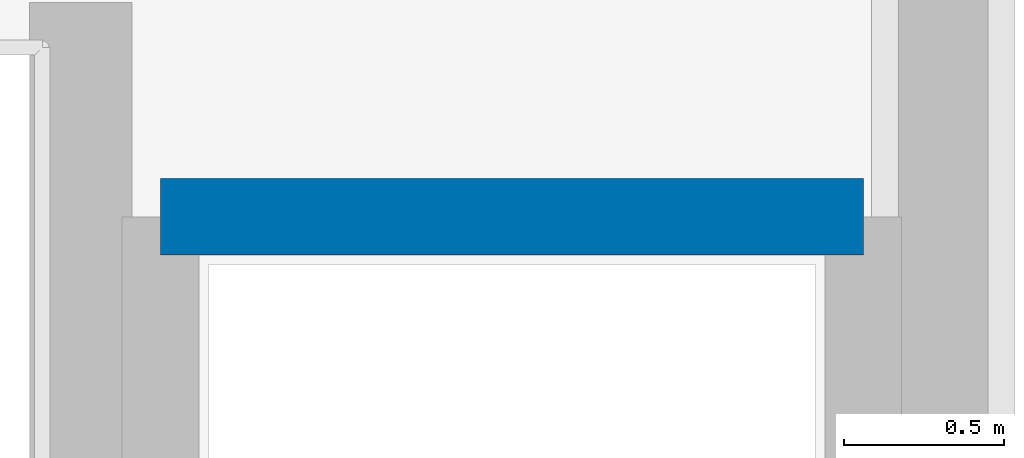
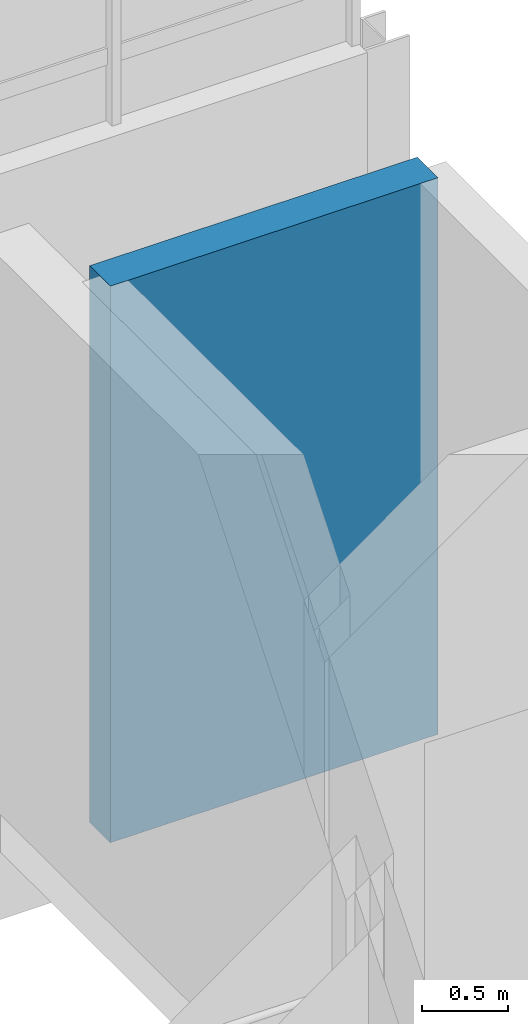
# One storey, part 35 of 36: 1 wall.
"""IFC4 building model written with IfcOpenShell, lengths in metres."""

from ifc_helpers import new_model, si_unit, direction, frame, frame_2d, origin, place, context, subcontext, project, spatial, rectangle, extrude, material, layer, layer_set, type_object, element, save


model = new_model("IFC4")

# Units and contexts
model_context = context("Model", 3, precision=1e-05, world=origin(), true_north=direction((0.0, 1.0)))
body_context = subcontext(model_context, "Body", "Model", "MODEL_VIEW")
ifc_project = project(units=[si_unit("LENGTHUNIT", "METRE"), si_unit("AREAUNIT", "SQUARE_METRE"), si_unit("VOLUMEUNIT", "CUBIC_METRE"), si_unit("PLANEANGLEUNIT", "RADIAN"), si_unit("MASSUNIT", "GRAM", prefix="KILO")], contexts=[model_context])

# Site, building, storey
site_placement = place(None, origin())
site = spatial("IfcSite", under=ifc_project, at=site_placement, CompositionType="ELEMENT")
building_placement = place(site_placement, origin())
building = spatial("IfcBuilding", under=site, at=building_placement, Name="Mersad Railyard Sports Hall", CompositionType="ELEMENT")
storey_placement = place(building_placement, frame((0.0, 0.0, 21.60009765625)))
storey = spatial("IfcBuildingStorey", under=building, at=storey_placement, Name="L05", CompositionType="ELEMENT", Elevation=21.60009765625)

# Wall
ifc_material = material(Name="Concrete C40/50", Category="concrete")
ifc_layer = layer(ifc_material, 0.239990234375)
ifc_layer_set = layer_set([ifc_layer], Name="Concrete C40/50")
wall_type = type_object("IfcWallType", Name="STR-WL-SW03", PredefinedType="SHEAR", material=ifc_layer_set)
wall_placement = place(storey_placement, frame((118.550048828125, 113.949951171875, 0.0), z_axis=(0.0, 0.0, 1.0), x_axis=(1.0, 0.0, 0.0)))
element("IfcWall", 1, at=wall_placement, inside=storey, type_object=wall_type, Name="Interior wall SW03-0080", PredefinedType="SHEAR", context=body_context, shape_type="SweptSolid", body=[
    extrude(rectangle(XDim=2.199951171875, YDim=0.239990234375, at=frame_2d((1.10009765625, 0.0))), origin(), (0.0, 0.0, 1.0), 3.949951171875),
])

save(model, "model.ifc")
